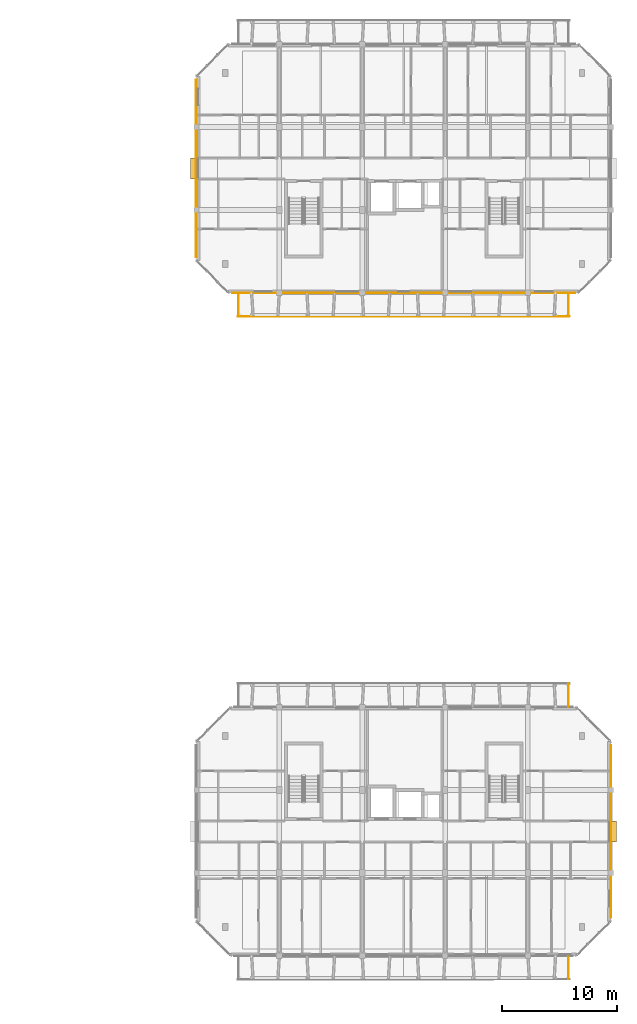
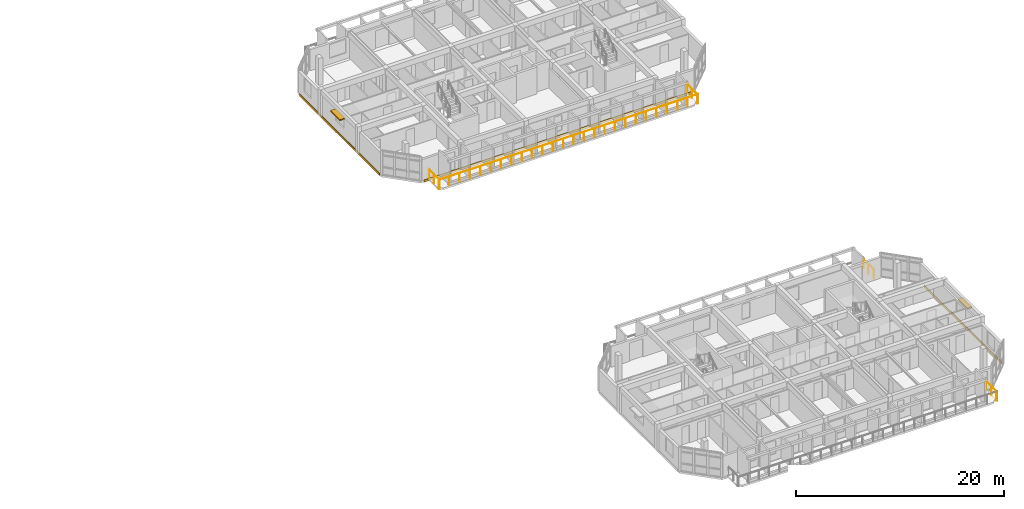
# One storey, part 28 of 30: 5 railings, 3 coverings, 2 shading devices.
"""IFC4 building model written with IfcOpenShell, lengths in metres."""

from ifc_helpers import new_model, si_unit, direction, frame, origin, origin_2d, place, context, subcontext, project, spatial, rectangle, circle, extrude, material, layer, layer_set, type_object, element, save


model = new_model("IFC4")

# Units and contexts
model_context = context("Model", 3, precision=1e-05, world=origin(), true_north=direction((0.0, 1.0)))
body_context = subcontext(model_context, "Body", "Model", "MODEL_VIEW")
ifc_project = project(units=[si_unit("LENGTHUNIT", "METRE"), si_unit("AREAUNIT", "SQUARE_METRE"), si_unit("VOLUMEUNIT", "CUBIC_METRE"), si_unit("PLANEANGLEUNIT", "RADIAN"), si_unit("MASSUNIT", "GRAM", prefix="KILO")], contexts=[model_context])

# Site, building, storey
site_placement = place(None, origin())
site = spatial("IfcSite", under=ifc_project, at=site_placement, CompositionType="ELEMENT")
building_placement = place(site_placement, origin())
building = spatial("IfcBuilding", under=site, at=building_placement, Name="Ochrevale Crest", CompositionType="ELEMENT")
storey_placement = place(building_placement, frame((0.0, 0.0, 33.89990234375)))
storey = spatial("IfcBuildingStorey", under=building, at=storey_placement, Name="L10", CompositionType="ELEMENT", Elevation=33.89990234375)

# Coverings
ifc_material_1 = material(Name="Glazed terracotta rainscreen tile", Category="masonry")
ifc_layer = layer(ifc_material_1, 0.048095703125)
ifc_layer_set = layer_set([ifc_layer], Name="Glazed terracotta rainscreen tile")
covering_type = type_object("IfcCoveringType", Name="COV-CLAD-TER", PredefinedType="CLADDING", material=ifc_layer_set)
covering_1_placement = place(storey_placement, frame((165.614501953125, 25.199951171875, -0.259765625), z_axis=(0.0, 0.0, 1.0), x_axis=(0.0, 1.0, 0.0)))
element("IfcCovering", 1, at=covering_1_placement, inside=storey, type_object=covering_type, Name="Block C L10 terracotta slab-edge spandrel cladding", PredefinedType="CLADDING", context=body_context, shape_type="SweptSolid", body=[
    extrude(rectangle(XDim=15.0, YDim=0.06005859375, at=origin_2d()), origin(), (0.0, 0.0, 1.0), 0.280029296875),
])
covering_2_placement = place(storey_placement, frame((147.60009765625, 71.987548828125, -0.259765625), z_axis=(0.0, 0.0, 1.0), x_axis=(1.0, 0.0, 0.0)))
element("IfcCovering", 2, at=covering_2_placement, inside=storey, type_object=covering_type, Name="Block D L10 terracotta slab-edge spandrel cladding", PredefinedType="CLADDING", context=body_context, shape_type="SweptSolid", body=[
    extrude(rectangle(XDim=29.800048828125, YDim=0.06005859375, at=origin_2d()), origin(), (0.0, 0.0, 1.0), 0.280029296875),
])
covering_3_placement = place(storey_placement, frame((129.58544921875, 82.800048828125, -0.259765625), z_axis=(0.0, 0.0, 1.0), x_axis=(0.0, -1.0, 0.0)))
element("IfcCovering", 3, at=covering_3_placement, inside=storey, type_object=covering_type, Name="Block D L10 terracotta slab-edge spandrel cladding", PredefinedType="CLADDING", context=body_context, shape_type="SweptSolid", body=[
    extrude(rectangle(XDim=15.39990234375, YDim=0.06005859375, at=origin_2d()), origin(), (0.0, 0.0, 1.0), 0.280029296875),
])

# Railings
ifc_material_2 = material(Name="Galvanised steel", Category="steel")
railing_type = type_object("IfcRailingType", Name="RL-BAL-1100", PredefinedType="BALUSTRADE", material=ifc_material_2)
railing_1_placement = place(storey_placement, frame((161.93994140625, 14.39990234375, 0.0)))
element("IfcRailing", 4, at=railing_1_placement, inside=storey, type_object=railing_type, Name="Block C L10 S-E balcony side guard", PredefinedType="BALUSTRADE", context=body_context, shape_type="SweptSolid", body=[
    extrude(circle(Radius=0.02392578125, at=origin_2d()), frame((0.0, 0.0, 1.0859375), z_axis=(0.0, -1.0, 0.0), x_axis=(1.0, 0.0, 0.0)), (0.0, 0.0, 1.0), 2.039794921875),
    extrude(circle(Radius=0.02099609375, at=origin_2d()), origin(), (0.0, 0.0, 1.0), 1.06201171875),
    extrude(circle(Radius=0.02099609375, at=origin_2d()), frame((0.0, -1.02001953125, 0.0)), (0.0, 0.0, 1.0), 1.06201171875),
    extrude(circle(Radius=0.02099609375, at=origin_2d()), frame((0.0, -2.039794921875, 0.0)), (0.0, 0.0, 1.0), 1.06201171875),
])
railing_2_placement = place(storey_placement, frame((161.93994140625, 36.0, 0.0)))
element("IfcRailing", 5, at=railing_2_placement, inside=storey, type_object=railing_type, Name="Block C L10 N-E balcony side guard", PredefinedType="BALUSTRADE", context=body_context, shape_type="SweptSolid", body=[
    extrude(circle(Radius=0.02392578125, at=origin_2d()), frame((0.0, 0.0, 1.0859375), z_axis=(0.0, 1.0, 0.0), x_axis=(-1.0, 0.0, 0.0)), (0.0, 0.0, 1.0), 2.0400390625),
    extrude(circle(Radius=0.02099609375, at=origin_2d()), origin(), (0.0, 0.0, 1.0), 1.06201171875),
    extrude(circle(Radius=0.02099609375, at=origin_2d()), frame((0.0, 1.02001953125, 0.0)), (0.0, 0.0, 1.0), 1.06201171875),
    extrude(circle(Radius=0.02099609375, at=origin_2d()), frame((0.0, 2.0400390625, 0.0)), (0.0, 0.0, 1.0), 1.06201171875),
])
railing_3_placement = place(storey_placement, frame((133.199951171875, 69.9599609375, 0.0)))
element("IfcRailing", 6, at=railing_3_placement, inside=storey, type_object=railing_type, Name="Block D L10 S balcony front balustrade", PredefinedType="BALUSTRADE", context=body_context, shape_type="SweptSolid", body=[
    extrude(circle(Radius=0.02392578125, at=origin_2d()), frame((0.0, 0.0, 1.0859375), z_axis=(1.0, 0.0, 0.0), x_axis=(0.0, 1.0, 0.0)), (0.0, 0.0, 1.0), 28.800048828125),
    extrude(circle(Radius=0.02099609375, at=origin_2d()), origin(), (0.0, 0.0, 1.0), 1.06201171875),
    extrude(circle(Radius=0.02099609375, at=origin_2d()), frame((1.152099609375, 0.0, 0.0)), (0.0, 0.0, 1.0), 1.06201171875),
    extrude(circle(Radius=0.02099609375, at=origin_2d()), frame((2.303955078125, 0.0, 0.0)), (0.0, 0.0, 1.0), 1.06201171875),
    extrude(circle(Radius=0.02099609375, at=origin_2d()), frame((3.4560546875, 0.0, 0.0)), (0.0, 0.0, 1.0), 1.06201171875),
    extrude(circle(Radius=0.02099609375, at=origin_2d()), frame((4.60791015625, 0.0, 0.0)), (0.0, 0.0, 1.0), 1.06201171875),
    extrude(circle(Radius=0.02099609375, at=origin_2d()), frame((5.760009765625, 0.0, 0.0)), (0.0, 0.0, 1.0), 1.06201171875),
    extrude(circle(Radius=0.02099609375, at=origin_2d()), frame((6.912109375, 0.0, 0.0)), (0.0, 0.0, 1.0), 1.06201171875),
    extrude(circle(Radius=0.02099609375, at=origin_2d()), frame((8.06396484375, 0.0, 0.0)), (0.0, 0.0, 1.0), 1.06201171875),
    extrude(circle(Radius=0.02099609375, at=origin_2d()), frame((9.216064453125, 0.0, 0.0)), (0.0, 0.0, 1.0), 1.06201171875),
    extrude(circle(Radius=0.02099609375, at=origin_2d()), frame((10.367919921875, 0.0, 0.0)), (0.0, 0.0, 1.0), 1.06201171875),
    extrude(circle(Radius=0.02099609375, at=origin_2d()), frame((11.52001953125, 0.0, 0.0)), (0.0, 0.0, 1.0), 1.06201171875),
    extrude(circle(Radius=0.02099609375, at=origin_2d()), frame((12.672119140625, 0.0, 0.0)), (0.0, 0.0, 1.0), 1.06201171875),
    extrude(circle(Radius=0.02099609375, at=origin_2d()), frame((13.823974609375, 0.0, 0.0)), (0.0, 0.0, 1.0), 1.06201171875),
    extrude(circle(Radius=0.02099609375, at=origin_2d()), frame((14.97607421875, 0.0, 0.0)), (0.0, 0.0, 1.0), 1.06201171875),
    extrude(circle(Radius=0.02099609375, at=origin_2d()), frame((16.1279296875, 0.0, 0.0)), (0.0, 0.0, 1.0), 1.06201171875),
    extrude(circle(Radius=0.02099609375, at=origin_2d()), frame((17.280029296875, 0.0, 0.0)), (0.0, 0.0, 1.0), 1.06201171875),
    extrude(circle(Radius=0.02099609375, at=origin_2d()), frame((18.43212890625, 0.0, 0.0)), (0.0, 0.0, 1.0), 1.06201171875),
    extrude(circle(Radius=0.02099609375, at=origin_2d()), frame((19.583984375, 0.0, 0.0)), (0.0, 0.0, 1.0), 1.06201171875),
    extrude(circle(Radius=0.02099609375, at=origin_2d()), frame((20.736083984375, 0.0, 0.0)), (0.0, 0.0, 1.0), 1.06201171875),
    extrude(circle(Radius=0.02099609375, at=origin_2d()), frame((21.887939453125, 0.0, 0.0)), (0.0, 0.0, 1.0), 1.06201171875),
    extrude(circle(Radius=0.02099609375, at=origin_2d()), frame((23.0400390625, 0.0, 0.0)), (0.0, 0.0, 1.0), 1.06201171875),
    extrude(circle(Radius=0.02099609375, at=origin_2d()), frame((24.192138671875, 0.0, 0.0)), (0.0, 0.0, 1.0), 1.06201171875),
    extrude(circle(Radius=0.02099609375, at=origin_2d()), frame((25.343994140625, 0.0, 0.0)), (0.0, 0.0, 1.0), 1.06201171875),
    extrude(circle(Radius=0.02099609375, at=origin_2d()), frame((26.49609375, 0.0, 0.0)), (0.0, 0.0, 1.0), 1.06201171875),
    extrude(circle(Radius=0.02099609375, at=origin_2d()), frame((27.64794921875, 0.0, 0.0)), (0.0, 0.0, 1.0), 1.06201171875),
    extrude(circle(Radius=0.02099609375, at=origin_2d()), frame((28.800048828125, 0.0, 0.0)), (0.0, 0.0, 1.0), 1.06201171875),
])
for number, where, name in (
    (7, (133.260009765625, 72.0, 0.0), "Block D L10 S-W balcony side guard"),
    (8, (161.93994140625, 72.0, 0.0), "Block D L10 S-E balcony side guard"),
):
    element("IfcRailing", number, at=place(storey_placement, frame(where)), inside=storey, type_object=railing_type, Name=name, PredefinedType="BALUSTRADE", context=body_context, shape_type="SweptSolid", body=[
        extrude(circle(Radius=0.02392578125, at=origin_2d()), frame((0.0, 0.0, 1.0859375), z_axis=(0.0, -1.0, 0.0), x_axis=(1.0, 0.0, 0.0)), (0.0, 0.0, 1.0), 2.0400390625),
        extrude(circle(Radius=0.02099609375, at=origin_2d()), origin(), (0.0, 0.0, 1.0), 1.06201171875),
        extrude(circle(Radius=0.02099609375, at=origin_2d()), frame((0.0, -1.02001953125, 0.0)), (0.0, 0.0, 1.0), 1.06201171875),
        extrude(circle(Radius=0.02099609375, at=origin_2d()), frame((0.0, -2.0400390625, 0.0)), (0.0, 0.0, 1.0), 1.06201171875),
    ])

# Shading devices
ifc_material_3 = material(Name="Anodised aluminium 6063-T5", Category="aluminium")
shading_device_type = type_object("IfcShadingDeviceType", Name="SHD-SUNSHADE-OC", PredefinedType="USERDEFINED", material=ifc_material_3)
for number, where, z_axis, x_axis, name in (
    (9, (165.840087890625, 25.199951171875, 2.2099609375), (0.0, 0.0, 1.0), (1.0, 0.0, 0.0), "Block C L10 gable window sunshade E"),
    (10, (129.360107421875, 82.800048828125, 2.2099609375), (0.0, 0.0, 1.0), (1.0, 0.0, 0.0), "Block D L10 gable window sunshade W"),
):
    element("IfcShadingDevice", number, at=place(storey_placement, frame(where, z_axis=z_axis, x_axis=x_axis)), inside=storey, type_object=shading_device_type, Name=name, ObjectType="HORIZONTAL SUNSHADE", PredefinedType="USERDEFINED", context=body_context, shape_type="SweptSolid", body=[
        extrude(rectangle(XDim=0.550048828125, YDim=1.800048828125, at=origin_2d()), origin(), (0.0, 0.0, 1.0), 0.139892578125),
    ])

save(model, "model.ifc")
